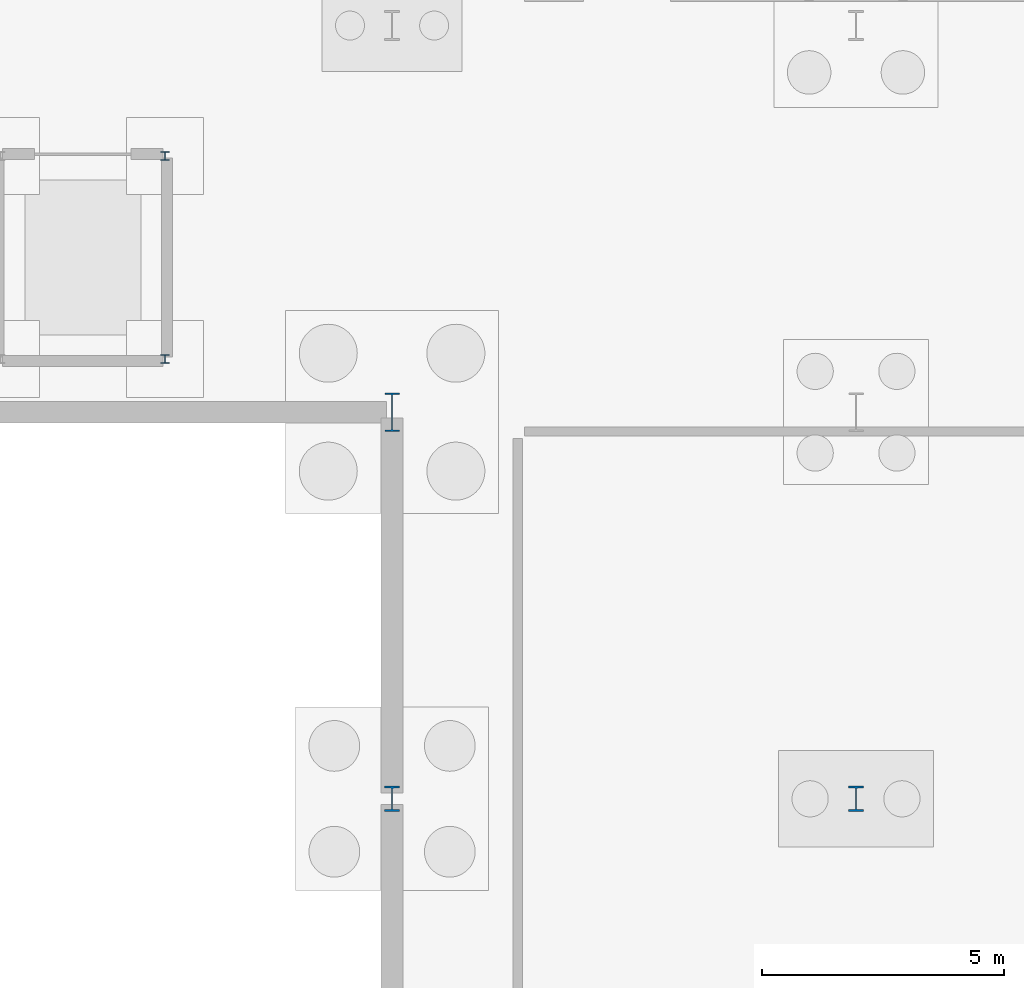
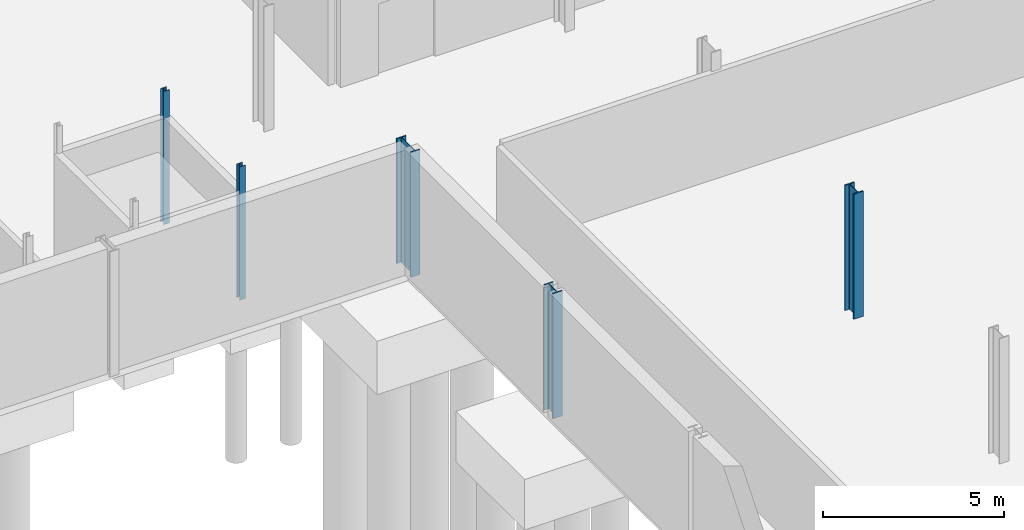
# One storey, part 30 of 47: 5 columns.
"""IFC4 building model written with IfcOpenShell, lengths in metres."""

from ifc_helpers import new_model, si_unit, direction, frame, origin, origin_2d, place, context, subcontext, project, spatial, i_section, extrude, material, material_profile, profile_set, type_object, element, save


model = new_model("IFC4")

# Units and contexts
model_context = context("Model", 3, precision=1e-05, world=origin(), true_north=direction((0.0, 1.0)))
body_context = subcontext(model_context, "Body", "Model", "MODEL_VIEW")
ifc_project = project(units=[si_unit("LENGTHUNIT", "METRE"), si_unit("AREAUNIT", "SQUARE_METRE"), si_unit("VOLUMEUNIT", "CUBIC_METRE"), si_unit("PLANEANGLEUNIT", "RADIAN"), si_unit("MASSUNIT", "GRAM", prefix="KILO")], contexts=[model_context])

# Site, building, storey
site_placement = place(None, origin())
site = spatial("IfcSite", under=ifc_project, at=site_placement, CompositionType="ELEMENT")
building_placement = place(site_placement, origin())
building = spatial("IfcBuilding", under=site, at=building_placement, Name="Alderhovde Museum", CompositionType="ELEMENT")
storey_placement = place(building_placement, frame((0.0, 0.0, -4.5)))
storey = spatial("IfcBuildingStorey", under=building, at=storey_placement, Name="B1", CompositionType="ELEMENT", Elevation=-4.5)

# Columns
ifc_material_1 = material(Name="Steel S355J2", Category="steel")
ifc_material_profile_1 = material_profile(ifc_material_1, i_section(OverallWidth=0.179931640625, OverallDepth=0.1708984375, WebThickness=0.006103515625, FlangeThickness=0.009521484375, FilletRadius=0.014892578125, at=origin_2d()), Name="HEA 180")
ifc_profile_set_1 = profile_set([ifc_material_profile_1], Name="Steel S355J2")
column_type_1 = type_object("IfcColumnType", Name="COL-HEA180", PredefinedType="COLUMN", material=ifc_profile_set_1)
for number, where, z_axis, x_axis, name in (
    (1, (139.300048828125, 73.10009765625, 0.0), (0.0, 0.0, 1.0), (1.0, 0.0, 0.0), "B1 Lift GL-01 Shaft Column 2"),
    (2, (139.300048828125, 77.300048828125, 0.0), (0.0, 0.0, 1.0), (1.0, 0.0, 0.0), "B1 Lift GL-01 Shaft Column 3"),
):
    element("IfcColumn", number, at=place(storey_placement, frame(where, z_axis=z_axis, x_axis=x_axis)), inside=storey, type_object=column_type_1, Name=name, PredefinedType="COLUMN", context=body_context, shape_type="SweptSolid", body=[
        extrude(i_section(OverallWidth=0.179931640625, OverallDepth=0.1708984375, WebThickness=0.006103515625, FlangeThickness=0.009521484375, FilletRadius=0.014892578125, at=origin_2d()), origin(), (0.0, 0.0, 1.0), 4.5),
    ])
ifc_material_2 = material(Name="Steel S355J2", Category="steel")
ifc_material_profile_2 = material_profile(ifc_material_2, i_section(OverallWidth=0.300048828125, OverallDepth=0.800048828125, WebThickness=0.017578125, FlangeThickness=0.032958984375, FilletRadius=0.030029296875, at=origin_2d()), Name="HEB 800")
ifc_profile_set_2 = profile_set([ifc_material_profile_2], Name="Steel S355J2")
column_type_2 = type_object("IfcColumnType", Name="COL-HEB800", PredefinedType="COLUMN", material=ifc_profile_set_2)
column_placement = place(storey_placement, frame((144.0, 72.0, 0.0), z_axis=(0.0, 0.0, 1.0), x_axis=(1.0, 0.0, 0.0)))
element("IfcColumn", 3, at=column_placement, inside=storey, type_object=column_type_2, Name="B1 Column (144.0, 72.0)", PredefinedType="COLUMN", context=body_context, shape_type="SweptSolid", body=[
    extrude(i_section(OverallWidth=0.300048828125, OverallDepth=0.800048828125, WebThickness=0.017578125, FlangeThickness=0.032958984375, FilletRadius=0.030029296875, at=origin_2d()), origin(), (0.0, 0.0, 1.0), 4.219970703125),
])
ifc_material_3 = material(Name="Steel S355J2", Category="steel")
ifc_material_profile_3 = material_profile(ifc_material_3, i_section(OverallWidth=0.305908203125, OverallDepth=0.52392578125, WebThickness=0.02099609375, FlangeThickness=0.0400390625, FilletRadius=0.027099609375, at=origin_2d()), Name="HEM 500")
ifc_profile_set_3 = profile_set([ifc_material_profile_3], Name="Steel S355J2")
column_type_3 = type_object("IfcColumnType", Name="COL-HEM500", PredefinedType="COLUMN", material=ifc_profile_set_3)
for number, where, z_axis, x_axis, name in (
    (4, (144.0, 64.0, 0.0), (0.0, 0.0, 1.0), (1.0, 0.0, 0.0), "B1 Column (144.0, 64.0)"),
    (5, (153.60009765625, 64.0, 0.0), (0.0, 0.0, 1.0), (1.0, 0.0, 0.0), "B1 Column (153.6, 64.0)"),
):
    element("IfcColumn", number, at=place(storey_placement, frame(where, z_axis=z_axis, x_axis=x_axis)), inside=storey, type_object=column_type_3, Name=name, PredefinedType="COLUMN", context=body_context, shape_type="SweptSolid", body=[
        extrude(i_section(OverallWidth=0.305908203125, OverallDepth=0.52392578125, WebThickness=0.02099609375, FlangeThickness=0.0400390625, FilletRadius=0.027099609375, at=origin_2d()), origin(), (0.0, 0.0, 1.0), 4.219970703125),
    ])

save(model, "model.ifc")
